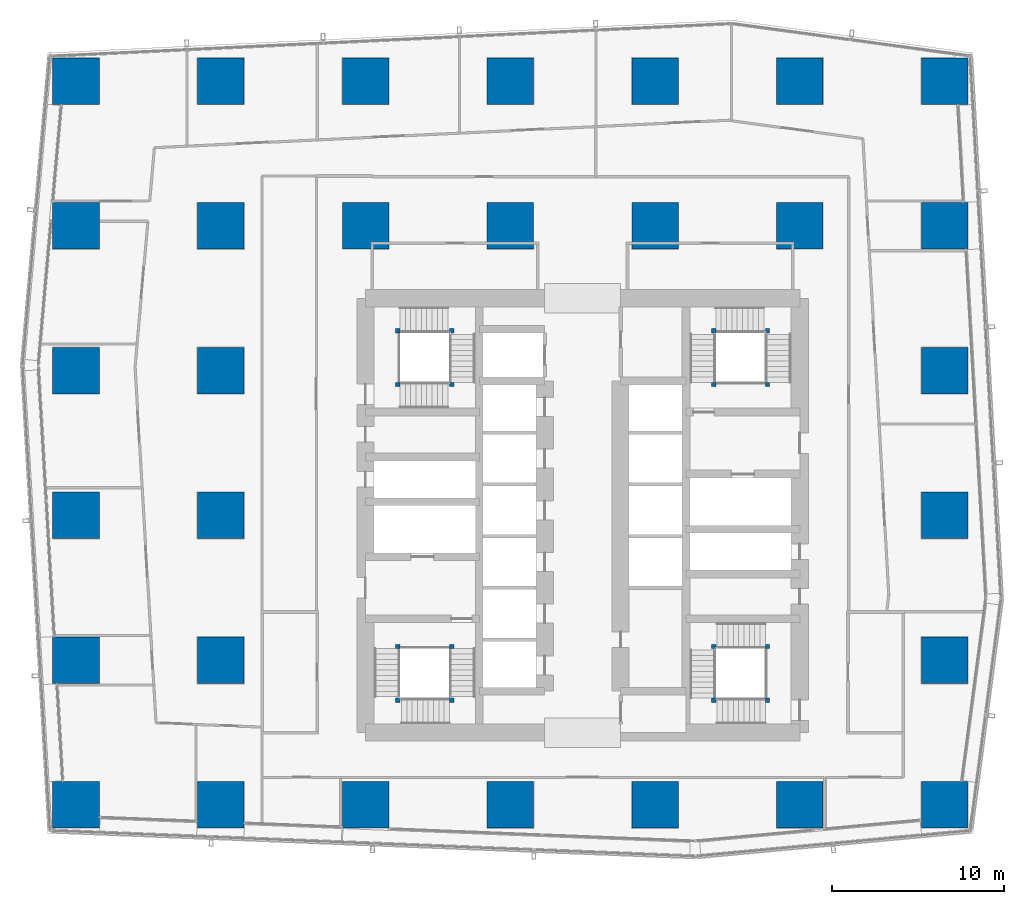
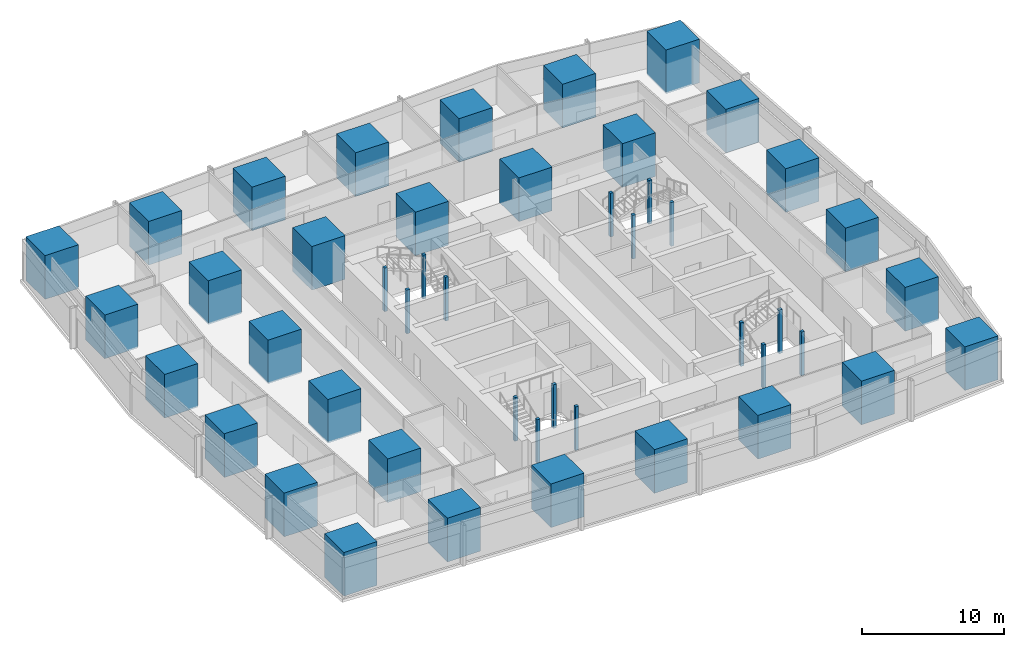
# One storey, part 1 of 36: 46 columns.
"""IFC4 building model written with IfcOpenShell, lengths in metres."""

import ifcopenshell
import ifcopenshell.guid

model = None  # the IFC model being written
_history = None  # IfcOwnerHistory: only IFC2X3 demands one
_inside = {}  # id of a spatial element -> (the spatial element, [elements in it])
_under = {}  # id of a project, library or spatial element -> (it, [spatial elements below it])
_declared = {}  # id of a project -> (the project, [libraries it declares])
_typed = {}  # id of a type object -> (the type object, [elements of that type])
_made_of = {}  # id of a material, layer set ... -> (it, [elements and type objects made of it])


def new_model(schema):
    """Start an empty IFC model of exactly this schema.

    Asked for "IFC4X3", IfcOpenShell would pick the latest addendum, in which some entities
    have other attributes; the version numbers below select the first issue.
    IFC2X3 requires an IfcOwnerHistory on every rooted entity: one is made here for all.
    """
    global model, _history
    if schema == "IFC4X3":
        model = ifcopenshell.file(schema_version=(4, 3, 0, 0))
    else:
        model = ifcopenshell.file(schema=schema)
    _inside.clear()
    _under.clear()
    _declared.clear()
    _typed.clear()
    _made_of.clear()
    _history = None
    if model.schema == "IFC2X3":
        org = make("IfcOrganization", Name="unknown")
        user = make(
            "IfcPersonAndOrganization",
            ThePerson=make("IfcPerson", FamilyName="unknown"),
            TheOrganization=org,
        )
        app = make(
            "IfcApplication",
            ApplicationDeveloper=org,
            Version="unknown",
            ApplicationFullName="unknown",
            ApplicationIdentifier="unknown",
        )
        _history = make(
            "IfcOwnerHistory",
            OwningUser=user,
            OwningApplication=app,
            ChangeAction="ADDED",
            CreationDate=0,
        )
    return model


def make(cls, **values):
    """One entity of the class cls with the attributes given. An attribute that is None is left unset."""
    return model.create_entity(
        cls, **{name: value for name, value in values.items() if value is not None}
    )


def rooted(cls, **values):
    """An entity with a GlobalId (a new one), such as an element, a storey or a relation."""
    return make(cls, GlobalId=ifcopenshell.guid.new(), OwnerHistory=_history, **values)


def si_unit(unit_type, name, prefix=None):
    """IfcSIUnit, for example si_unit("LENGTHUNIT", "METRE", prefix="MILLI")."""
    return make("IfcSIUnit", UnitType=unit_type, Prefix=prefix, Name=name)


def assignment(units):
    """IfcUnitAssignment: the units of a project."""
    return None if units is None else make("IfcUnitAssignment", Units=units)


def point(xyz):
    """IfcCartesianPoint."""
    return None if xyz is None else make("IfcCartesianPoint", Coordinates=xyz)


def direction(xyz):
    """IfcDirection."""
    return None if xyz is None else make("IfcDirection", DirectionRatios=xyz)


def frame(location, z_axis=None, x_axis=None):
    """IfcAxis2Placement3D, a coordinate frame: its origin and axes. An axis left out is left unset."""
    return make(
        "IfcAxis2Placement3D",
        Location=point(location),
        Axis=direction(z_axis),
        RefDirection=direction(x_axis),
    )


def frame_2d(location, x_axis=None):
    """IfcAxis2Placement2D, a coordinate frame in the plane: its origin and x axis."""
    return make(
        "IfcAxis2Placement2D", Location=point(location), RefDirection=direction(x_axis)
    )


def origin():
    """The frame at (0, 0, 0) with its axes left unset."""
    return frame((0.0, 0.0, 0.0))


def origin_2d():
    """The frame at (0, 0) in the plane with its x axis left unset."""
    return frame_2d((0.0, 0.0))


def place(relative_to, where):
    """IfcLocalPlacement: puts the frame where relative to a parent placement (None: the world)."""
    return make(
        "IfcLocalPlacement", PlacementRelTo=relative_to, RelativePlacement=where
    )


def context(
    kind, dimensions, precision=None, world=None, true_north=None, identifier=None
):
    """IfcGeometricRepresentationContext, for example the 3D "Model" context."""
    return make(
        "IfcGeometricRepresentationContext",
        ContextIdentifier=identifier,
        ContextType=kind,
        CoordinateSpaceDimension=dimensions,
        Precision=precision,
        WorldCoordinateSystem=world,
        TrueNorth=true_north,
    )


def subcontext(parent, identifier, kind, view, scale=None):
    """IfcGeometricRepresentationSubContext, for example "Body" below "Model"."""
    return make(
        "IfcGeometricRepresentationSubContext",
        ContextIdentifier=identifier,
        ContextType=kind,
        ParentContext=parent,
        TargetScale=scale,
        TargetView=view,
    )


def project(units=None, contexts=None):
    """IfcProject with its units and contexts."""
    return rooted(
        "IfcProject",
        Name="project",
        RepresentationContexts=contexts,
        UnitsInContext=assignment(units),
    )


def spatial(cls, under=None, at=None, **own):
    """A site, building, storey or space (cls), placed at a placement, below another one or the project."""
    s = rooted(cls, ObjectPlacement=at, **own)
    if under is not None:
        _under.setdefault(under.id(), (under, []))[1].append(s)
    return s


def profile(cls, at=None, kind="AREA", **sizes):
    """A parametric profile (cls). Its sizes go by their IFC names, for example OverallWidth=200.0."""
    return make(cls, ProfileType=kind, Position=at, **sizes)


def rectangle(**sizes):
    """IfcRectangleProfileDef."""
    return profile("IfcRectangleProfileDef", **sizes)


def extrude(swept, where, along, depth):
    """IfcExtrudedAreaSolid: the profile swept, set in the frame where, extruded along a direction by depth."""
    return make(
        "IfcExtrudedAreaSolid",
        SweptArea=swept,
        Position=where,
        ExtrudedDirection=direction(along),
        Depth=depth,
    )


def shape(context_of_items, identifier, shape_type, items):
    """IfcShapeRepresentation: the items that make up one representation, for example the "Body"."""
    return make(
        "IfcShapeRepresentation",
        ContextOfItems=context_of_items,
        RepresentationIdentifier=identifier,
        RepresentationType=shape_type,
        Items=items,
    )


def material(Name=None, Category=None):
    """IfcMaterial."""
    return make("IfcMaterial", Name=Name, Category=Category)


def material_profile(
    of_material, cross_section, Name=None, Category=None, Priority=None
):
    """IfcMaterialProfile: a cross section and its material."""
    return make(
        "IfcMaterialProfile",
        Name=Name,
        Material=of_material,
        Profile=cross_section,
        Priority=Priority,
        Category=Category,
    )


def profile_set(profiles, Name=None, composite=None):
    """IfcMaterialProfileSet."""
    return make(
        "IfcMaterialProfileSet",
        Name=Name,
        MaterialProfiles=profiles,
        CompositeProfile=composite,
    )


def made_of(thing, what):
    """Note that an element or type object is made of a material, layer set ...; save() writes the relation."""
    if what is not None:
        _made_of.setdefault(what.id(), (what, []))[1].append(thing)
    return thing


def type_object(cls, material=None, **own):
    """A type object (cls), such as IfcWallType, which elements share."""
    return made_of(rooted(cls, **own), material)


def element(
    cls,
    number,
    at=None,
    inside=None,
    cuts=None,
    type_object=None,
    material=None,
    context=None,
    identifier="Body",
    shape_type=None,
    held_by="IfcProductDefinitionShape",
    body=None,
    shapes=None,
    **own,
):
    """One element of the class cls, such as IfcWall. Its Tag is "e" and its number.

    at: its placement. inside: the storey or other place that contains it. cuts: it is an
    opening in that element (IfcRelVoidsElement). A single representation is given by context,
    identifier, shape_type and body (its items); several are given by shapes. held_by: the class
    of the entity that holds the representations. save() writes the other relations.
    """
    e = rooted(cls, Tag="e%d" % number, ObjectPlacement=at, **own)
    if body is not None:
        shapes = [shape(context, identifier, shape_type, body)]
    if shapes is not None:
        e.Representation = make(held_by, Representations=shapes)
    if inside is not None:
        _inside.setdefault(inside.id(), (inside, []))[1].append(e)
    if cuts is not None:
        rooted(
            "IfcRelVoidsElement", RelatingBuildingElement=cuts, RelatedOpeningElement=e
        )
    if type_object is not None:
        _typed.setdefault(type_object.id(), (type_object, []))[1].append(e)
    return made_of(e, material)


def aggregate(whole, parts):
    """IfcRelAggregates: a whole, such as a stair, and the parts it consists of."""
    return rooted("IfcRelAggregates", RelatingObject=whole, RelatedObjects=parts)


def save(model, path):
    """Write the relations noted so far, then the file.

    IfcRelAggregates (storeys below a building ...), IfcRelContainedInSpatialStructure (elements
    in a storey), IfcRelDefinesByType, IfcRelAssociatesMaterial and IfcRelDeclares: one each for
    every whole, place, type object, material and project.
    """
    for whole, parts in _under.values():
        aggregate(whole, parts)
    for where, things in _inside.values():
        rooted(
            "IfcRelContainedInSpatialStructure",
            RelatedElements=things,
            RelatingStructure=where,
        )
    for kind, things in _typed.values():
        rooted("IfcRelDefinesByType", RelatedObjects=things, RelatingType=kind)
    for what, things in _made_of.values():
        rooted("IfcRelAssociatesMaterial", RelatedObjects=things, RelatingMaterial=what)
    for by, libraries in _declared.values():
        rooted("IfcRelDeclares", RelatingContext=by, RelatedDefinitions=libraries)
    model.write(path)


model = new_model("IFC4")

# Units and contexts
model_context = context("Model", 3, precision=1e-05, world=origin(), true_north=direction((0.0, 1.0)))
body_context = subcontext(model_context, "Body", "Model", "MODEL_VIEW")
ifc_project = project(units=[si_unit("LENGTHUNIT", "METRE"), si_unit("AREAUNIT", "SQUARE_METRE"), si_unit("VOLUMEUNIT", "CUBIC_METRE"), si_unit("PLANEANGLEUNIT", "RADIAN"), si_unit("MASSUNIT", "GRAM", prefix="KILO")], contexts=[model_context])

# Site, building, storey
site_placement = place(None, origin())
site = spatial("IfcSite", under=ifc_project, at=site_placement, CompositionType="ELEMENT")
building_placement = place(site_placement, origin())
building = spatial("IfcBuilding", under=site, at=building_placement, Name="Rekha Terrace Tower", CompositionType="ELEMENT")
storey_placement = place(building_placement, frame((0.0, 0.0, 172.699951171875)))
storey = spatial("IfcBuildingStorey", under=building, at=storey_placement, Name="L43", CompositionType="ELEMENT", Elevation=172.699951171875)

# Columns
ifc_material_1 = material(Name="Concrete M70", Category="concrete")
ifc_material_profile_1 = material_profile(ifc_material_1, rectangle(XDim=2.699951171875, YDim=2.699951171875, at=origin_2d()), Name="RC 2700x2700")
ifc_profile_set_1 = profile_set([ifc_material_profile_1], Name="Concrete M70")
column_type_1 = type_object("IfcColumnType", Name="C4T 2700x2700 column", PredefinedType="COLUMN", material=ifc_profile_set_1)
for number, where, z_axis, x_axis, name in (
    (1, (8.39990234375, 16.800048828125, 0.0), (0.0, 0.0, 1.0), (1.0, 0.0, 0.0), "Column C4T 2/C L43"),
    (2, (8.39990234375, 25.199951171875, 0.0), (0.0, 0.0, 1.0), (1.0, 0.0, 0.0), "Column C4T 2/D L43"),
    (3, (8.39990234375, 33.60009765625, 0.0), (0.0, 0.0, 1.0), (1.0, 0.0, 0.0), "Column C4T 2/E L43"),
    (4, (8.39990234375, 42.0, 0.0), (0.0, 0.0, 1.0), (1.0, 0.0, 0.0), "Column C4T 2/F L43"),
    (5, (8.39990234375, 50.39990234375, 0.0), (0.0, 0.0, 1.0), (1.0, 0.0, 0.0), "Column C4T 2/G L43"),
    (6, (8.39990234375, 58.800048828125, 0.0), (0.0, 0.0, 1.0), (1.0, 0.0, 0.0), "Column C4T 2/H L43"),
    (7, (16.800048828125, 16.800048828125, 0.0), (0.0, 0.0, 1.0), (1.0, 0.0, 0.0), "Column C4T 3/C L43"),
    (8, (16.800048828125, 25.199951171875, 0.0), (0.0, 0.0, 1.0), (1.0, 0.0, 0.0), "Column C4T 3/D L43"),
    (9, (16.800048828125, 33.60009765625, 0.0), (0.0, 0.0, 1.0), (1.0, 0.0, 0.0), "Column C4T 3/E L43"),
    (10, (16.800048828125, 42.0, 0.0), (0.0, 0.0, 1.0), (1.0, 0.0, 0.0), "Column C4T 3/F L43"),
    (11, (16.800048828125, 50.39990234375, 0.0), (0.0, 0.0, 1.0), (1.0, 0.0, 0.0), "Column C4T 3/G L43"),
    (12, (16.800048828125, 58.800048828125, 0.0), (0.0, 0.0, 1.0), (1.0, 0.0, 0.0), "Column C4T 3/H L43"),
    (13, (25.199951171875, 16.800048828125, 0.0), (0.0, 0.0, 1.0), (1.0, 0.0, 0.0), "Column C4T 4/C L43"),
    (14, (25.199951171875, 50.39990234375, 0.0), (0.0, 0.0, 1.0), (1.0, 0.0, 0.0), "Column C4T 4/G L43"),
    (15, (25.199951171875, 58.800048828125, 0.0), (0.0, 0.0, 1.0), (1.0, 0.0, 0.0), "Column C4T 4/H L43"),
    (16, (33.60009765625, 16.800048828125, 0.0), (0.0, 0.0, 1.0), (1.0, 0.0, 0.0), "Column C4T 5/C L43"),
    (17, (33.60009765625, 50.39990234375, 0.0), (0.0, 0.0, 1.0), (1.0, 0.0, 0.0), "Column C4T 5/G L43"),
    (18, (33.60009765625, 58.800048828125, 0.0), (0.0, 0.0, 1.0), (1.0, 0.0, 0.0), "Column C4T 5/H L43"),
    (19, (42.0, 16.800048828125, 0.0), (0.0, 0.0, 1.0), (1.0, 0.0, 0.0), "Column C4T 6/C L43"),
    (20, (42.0, 50.39990234375, 0.0), (0.0, 0.0, 1.0), (1.0, 0.0, 0.0), "Column C4T 6/G L43"),
    (21, (42.0, 58.800048828125, 0.0), (0.0, 0.0, 1.0), (1.0, 0.0, 0.0), "Column C4T 6/H L43"),
    (22, (50.39990234375, 16.800048828125, 0.0), (0.0, 0.0, 1.0), (1.0, 0.0, 0.0), "Column C4T 7/C L43"),
    (23, (50.39990234375, 50.39990234375, 0.0), (0.0, 0.0, 1.0), (1.0, 0.0, 0.0), "Column C4T 7/G L43"),
    (24, (50.39990234375, 58.800048828125, 0.0), (0.0, 0.0, 1.0), (1.0, 0.0, 0.0), "Column C4T 7/H L43"),
    (25, (58.800048828125, 16.800048828125, 0.0), (0.0, 0.0, 1.0), (1.0, 0.0, 0.0), "Column C4T 8/C L43"),
    (26, (58.800048828125, 25.199951171875, 0.0), (0.0, 0.0, 1.0), (1.0, 0.0, 0.0), "Column C4T 8/D L43"),
    (27, (58.800048828125, 33.60009765625, 0.0), (0.0, 0.0, 1.0), (1.0, 0.0, 0.0), "Column C4T 8/E L43"),
    (28, (58.800048828125, 42.0, 0.0), (0.0, 0.0, 1.0), (1.0, 0.0, 0.0), "Column C4T 8/F L43"),
    (29, (58.800048828125, 50.39990234375, 0.0), (0.0, 0.0, 1.0), (1.0, 0.0, 0.0), "Column C4T 8/G L43"),
    (30, (58.800048828125, 58.800048828125, 0.0), (0.0, 0.0, 1.0), (1.0, 0.0, 0.0), "Column C4T 8/H L43"),
):
    element("IfcColumn", number, at=place(storey_placement, frame(where, z_axis=z_axis, x_axis=x_axis)), inside=storey, type_object=column_type_1, Name=name, PredefinedType="COLUMN", context=body_context, shape_type="SweptSolid", body=[
        extrude(rectangle(XDim=2.699951171875, YDim=2.699951171875, at=origin_2d()), origin(), (0.0, 0.0, 1.0), 3.75),
    ])
ifc_material_2 = material(Name="Concrete M60", Category="concrete")
ifc_material_profile_2 = material_profile(ifc_material_2, rectangle(XDim=0.25, YDim=0.25, at=origin_2d()), Name="RC 250x250")
ifc_profile_set_2 = profile_set([ifc_material_profile_2], Name="Concrete M60")
column_type_2 = type_object("IfcColumnType", Name="NP1 250x250 stair newel post", PredefinedType="COLUMN", material=ifc_profile_set_2)
for number, where, z_axis, x_axis, name in (
    (31, (30.199951171875, 26.0, 0.0), (0.0, 0.0, 1.0), (1.0, 0.0, 0.0), "Stair newel post NP1"),
    (32, (30.199951171875, 22.875, 0.0), (0.0, 0.0, 1.0), (1.0, 0.0, 0.0), "Stair newel post NP1"),
    (33, (27.074951171875, 22.875, 0.0), (0.0, 0.0, 1.0), (1.0, 0.0, 0.0), "Stair newel post NP1"),
    (34, (27.074951171875, 26.0, 0.0), (0.0, 0.0, 1.0), (1.0, 0.0, 0.0), "Stair newel post NP1"),
    (35, (45.39990234375, 41.199951171875, 0.0), (0.0, 0.0, 1.0), (1.0, 0.0, 0.0), "Stair newel post NP1"),
    (36, (45.39990234375, 44.324951171875, 0.0), (0.0, 0.0, 1.0), (1.0, 0.0, 0.0), "Stair newel post NP1"),
    (37, (48.52490234375, 44.324951171875, 0.0), (0.0, 0.0, 1.0), (1.0, 0.0, 0.0), "Stair newel post NP1"),
    (38, (48.52490234375, 41.199951171875, 0.0), (0.0, 0.0, 1.0), (1.0, 0.0, 0.0), "Stair newel post NP1"),
    (39, (48.52490234375, 22.875, 0.0), (0.0, 0.0, 1.0), (1.0, 0.0, 0.0), "Stair newel post NP1"),
    (40, (45.39990234375, 22.875, 0.0), (0.0, 0.0, 1.0), (1.0, 0.0, 0.0), "Stair newel post NP1"),
    (41, (45.39990234375, 26.0, 0.0), (0.0, 0.0, 1.0), (1.0, 0.0, 0.0), "Stair newel post NP1"),
    (42, (48.52490234375, 26.0, 0.0), (0.0, 0.0, 1.0), (1.0, 0.0, 0.0), "Stair newel post NP1"),
    (43, (27.074951171875, 41.199951171875, 0.0), (0.0, 0.0, 1.0), (1.0, 0.0, 0.0), "Stair newel post NP1"),
    (44, (30.199951171875, 41.199951171875, 0.0), (0.0, 0.0, 1.0), (1.0, 0.0, 0.0), "Stair newel post NP1"),
    (45, (30.199951171875, 44.324951171875, 0.0), (0.0, 0.0, 1.0), (1.0, 0.0, 0.0), "Stair newel post NP1"),
    (46, (27.074951171875, 44.324951171875, 0.0), (0.0, 0.0, 1.0), (1.0, 0.0, 0.0), "Stair newel post NP1"),
):
    element("IfcColumn", number, at=place(storey_placement, frame(where, z_axis=z_axis, x_axis=x_axis)), inside=storey, type_object=column_type_2, Name=name, PredefinedType="COLUMN", context=body_context, shape_type="SweptSolid", body=[
        extrude(rectangle(XDim=0.25, YDim=0.25, at=origin_2d()), origin(), (0.0, 0.0, 1.0), 3.75),
    ])

save(model, "model.ifc")
